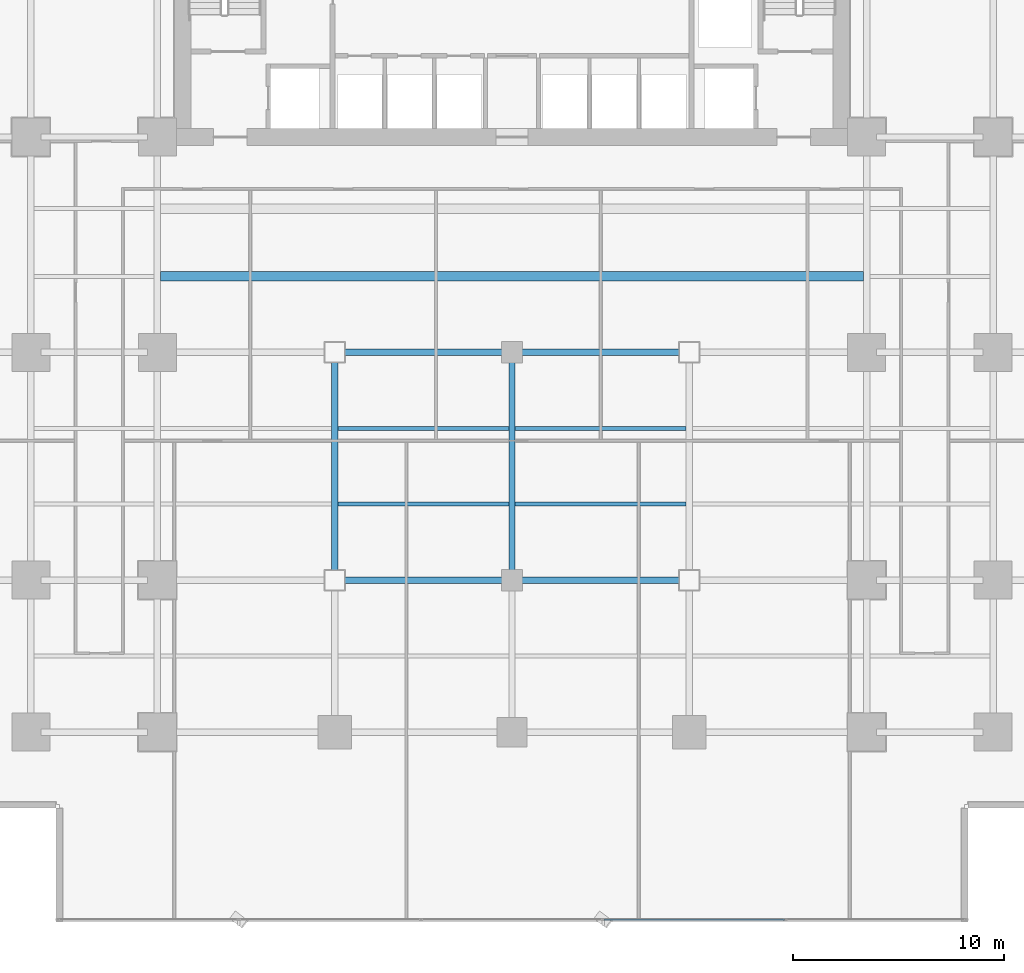
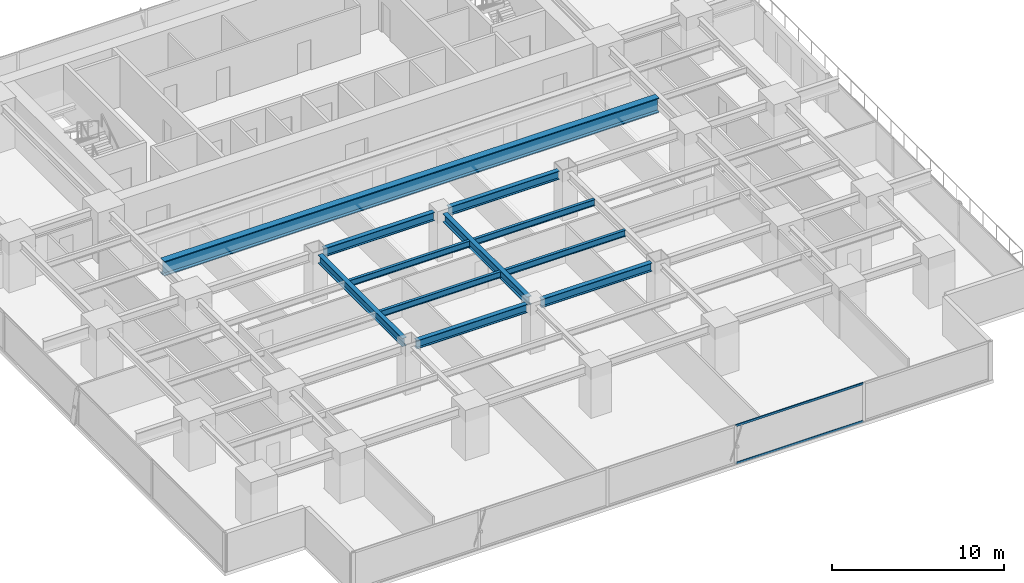
# One storey, part 10 of 33: 11 beams, 2 members, 1 element without a shape of its own.
"""IFC4 building model written with IfcOpenShell, lengths in metres."""

from ifc_helpers import new_model, si_unit, direction, frame, origin, origin_2d, place, context, subcontext, project, spatial, hollow_rectangle, i_section, extrude, source, transform, mapped, material, layer, layer_set, material_profile, profile_set, type_object, element, aggregate, save


model = new_model("IFC4")

# Units and contexts
model_context = context("Model", 3, precision=1e-05, world=origin(), true_north=direction((0.0, 1.0)))
body_context = subcontext(model_context, "Body", "Model", "MODEL_VIEW")
ifc_project = project(units=[si_unit("LENGTHUNIT", "METRE"), si_unit("AREAUNIT", "SQUARE_METRE"), si_unit("VOLUMEUNIT", "CUBIC_METRE"), si_unit("PLANEANGLEUNIT", "RADIAN"), si_unit("MASSUNIT", "GRAM", prefix="KILO")], contexts=[model_context])

# Site, building, storey
site_placement = place(None, origin())
site = spatial("IfcSite", under=ifc_project, at=site_placement, CompositionType="ELEMENT")
building_placement = place(site_placement, origin())
building = spatial("IfcBuilding", under=site, at=building_placement, Name="Sumidabori Civic Tower", CompositionType="ELEMENT")
storey_placement = place(building_placement, frame((0.0, 0.0, 23.60009765625)))
storey = spatial("IfcBuildingStorey", under=building, at=storey_placement, Name="L05", CompositionType="ELEMENT", Elevation=23.60009765625)

# Beams
ifc_material_1 = material(Name="Steel SN490", Category="steel")
ifc_material_profile_1 = material_profile(ifc_material_1, i_section(OverallWidth=0.300048828125, OverallDepth=0.60009765625, WebThickness=0.015380859375, FlangeThickness=0.030029296875, at=origin_2d()), Name="HE 600 B")
ifc_profile_set_1 = profile_set([ifc_material_profile_1], Name="Steel SN490")
beam_type_1 = type_object("IfcBeamType", Name="BM-GIRD-600", PredefinedType="BEAM", material=ifc_profile_set_1)
shared_shape_1 = source(origin(), body_context, "Body", "SweptSolid", [
    extrude(i_section(OverallWidth=0.300048828125, OverallDepth=0.60009765625, WebThickness=0.015380859375, FlangeThickness=0.030029296875, at=origin_2d()), origin(), (0.0, 0.0, 1.0), 7.43994140625),
])
for number, where, z_axis, x_axis, name in (
    (1, (-7.919921875, -10.800048828125, 3.059814453125), (1.0, 0.0, 0.0), (0.0, 1.0, 0.0), "Primary Girder L05 GX-09"),
    (2, (0.47998046875, -10.800048828125, 3.059814453125), (1.0, 0.0, 0.0), (0.0, 1.0, 0.0), "Primary Girder L05 GX-10"),
    (3, (-7.919921875, 0.0, 3.059814453125), (1.0, 0.0, 0.0), (0.0, 1.0, 0.0), "Primary Girder L05 GX-15"),
    (4, (0.47998046875, 0.0, 3.059814453125), (1.0, 0.0, 0.0), (0.0, 1.0, 0.0), "Primary Girder L05 GX-16"),
):
    element("IfcBeam", number, at=place(storey_placement, frame(where, z_axis=z_axis, x_axis=x_axis)), inside=storey, type_object=beam_type_1, Name=name, PredefinedType="BEAM", context=body_context, shape_type="MappedRepresentation", body=[
        mapped(shared_shape_1, transform((0.0, 0.0, 0.0), x_axis=(1.0, 0.0, 0.0), y_axis=(0.0, 1.0, 0.0), z_axis=(0.0, 0.0, 1.0), scale=1.0)),
    ])
shared_shape_2 = source(origin(), body_context, "Body", "SweptSolid", [
    extrude(i_section(OverallWidth=0.300048828125, OverallDepth=0.60009765625, WebThickness=0.015380859375, FlangeThickness=0.030029296875, at=origin_2d()), origin(), (0.0, 0.0, 1.0), 9.840087890625),
])
for number, where, z_axis, x_axis, name in (
    (5, (-8.39990234375, -10.320068359375, 3.059814453125), (0.0, 1.0, 0.0), (-1.0, 0.0, 0.0), "Primary Girder L05 GY-30"),
    (6, (0.0, -10.320068359375, 3.059814453125), (0.0, 1.0, 0.0), (-1.0, 0.0, 0.0), "Primary Girder L05 GY-32"),
):
    element("IfcBeam", number, at=place(storey_placement, frame(where, z_axis=z_axis, x_axis=x_axis)), inside=storey, type_object=beam_type_1, Name=name, PredefinedType="BEAM", context=body_context, shape_type="MappedRepresentation", body=[
        mapped(shared_shape_2, transform((0.0, 0.0, 0.0), x_axis=(1.0, 0.0, 0.0), y_axis=(0.0, 1.0, 0.0), z_axis=(0.0, 0.0, 1.0), scale=1.0)),
    ])
ifc_material_2 = material(Name="Steel SM570", Category="steel")
ifc_material_profile_2 = material_profile(ifc_material_2, i_section(OverallWidth=0.446044921875, OverallDepth=1.0439453125, WebThickness=0.035888671875, FlangeThickness=0.06396484375, at=origin_2d()), Name="W36X652")
ifc_profile_set_2 = profile_set([ifc_material_profile_2], Name="Steel SM570")
beam_type_2 = type_object("IfcBeamType", Name="BM-HEAVY-W36A", PredefinedType="BEAM", material=ifc_profile_set_2)
shared_shape_3 = source(origin(), body_context, "Body", "SweptSolid", [
    extrude(i_section(OverallWidth=0.446044921875, OverallDepth=1.0439453125, WebThickness=0.035888671875, FlangeThickness=0.06396484375, at=origin_2d()), origin(), (0.0, 0.0, 1.0), 33.2998046875),
])
beam_placement = place(storey_placement, frame((-16.64990234375, 3.60009765625, 2.837890625), z_axis=(1.0, 0.0, 0.0), x_axis=(0.0, 1.0, 0.0)))
element("IfcBeam", 7, at=beam_placement, inside=storey, type_object=beam_type_2, Name="North Bay Floor Beam L05 JSTN-59", PredefinedType="BEAM", context=body_context, shape_type="MappedRepresentation", body=[
    mapped(shared_shape_3, transform((0.0, 0.0, 0.0), x_axis=(1.0, 0.0, 0.0), y_axis=(0.0, 1.0, 0.0), z_axis=(0.0, 0.0, 1.0), scale=1.0)),
])
ifc_material_profile_3 = material_profile(ifc_material_1, i_section(OverallWidth=0.18994140625, OverallDepth=0.449951171875, WebThickness=0.009521484375, FlangeThickness=0.0146484375, at=origin_2d()), Name="IPE 450")
ifc_profile_set_3 = profile_set([ifc_material_profile_3], Name="Steel SN490")
beam_type_3 = type_object("IfcBeamType", Name="BM-JST-450", PredefinedType="JOIST", material=ifc_profile_set_3)
shared_shape_4 = source(origin(), body_context, "Body", "SweptSolid", [
    extrude(i_section(OverallWidth=0.18994140625, OverallDepth=0.449951171875, WebThickness=0.009521484375, FlangeThickness=0.0146484375, at=origin_2d()), origin(), (0.0, 0.0, 1.0), 8.10009765625),
])
for number, where, z_axis, x_axis, name in (
    (8, (-8.25, -7.199951171875, 3.135009765625), (1.0, 0.0, 0.0), (0.0, 1.0, 0.0), "South Bay Floor Joist L05 JSTS-66"),
    (9, (0.14990234375, -7.199951171875, 3.135009765625), (1.0, 0.0, 0.0), (0.0, 1.0, 0.0), "South Bay Floor Joist L05 JSTS-67"),
    (10, (-8.25, -3.60009765625, 3.135009765625), (1.0, 0.0, 0.0), (0.0, 1.0, 0.0), "South Bay Floor Joist L05 JSTS-70"),
    (11, (0.14990234375, -3.60009765625, 3.135009765625), (1.0, 0.0, 0.0), (0.0, 1.0, 0.0), "South Bay Floor Joist L05 JSTS-71"),
):
    element("IfcBeam", number, at=place(storey_placement, frame(where, z_axis=z_axis, x_axis=x_axis)), inside=storey, type_object=beam_type_3, Name=name, PredefinedType="JOIST", context=body_context, shape_type="MappedRepresentation", body=[
        mapped(shared_shape_4, transform((0.0, 0.0, 0.0), x_axis=(1.0, 0.0, 0.0), y_axis=(0.0, 1.0, 0.0), z_axis=(0.0, 0.0, 1.0), scale=1.0)),
    ])

# Curtain wall, members
ifc_material_3 = material(Name="Anodised Bronze Aluminium AW-6063-T6", Category="aluminium")
ifc_layer = layer(ifc_material_3, 0.179931640625, Name="Anodised Bronze Aluminium AW-6063-T6")
ifc_layer_set = layer_set([ifc_layer], Name="Anodised Bronze Aluminium AW-6063-T6")
curtain_wall_type = type_object("IfcCurtainWallType", Name="CW-SYS-2", PredefinedType="NOTDEFINED", material=ifc_layer_set)
curtain_wall_placement = place(storey_placement, origin())
curtain_wall = element("IfcCurtainWall", 12, at=curtain_wall_placement, inside=storey, type_object=curtain_wall_type, Name="Curtain Wall CW:L05:R01", PredefinedType="NOTDEFINED")
ifc_material_profile_4 = material_profile(ifc_material_3, hollow_rectangle(XDim=0.06494140625, YDim=0.14990234375, WallThickness=0.0048828125, at=origin_2d()), Name="ALU TRANSOM 150x65")
ifc_profile_set_4 = profile_set([ifc_material_profile_4], Name="Anodised Bronze Aluminium AW-6063-T6")
member_type = type_object("IfcMemberType", Name="CW-TRN-150", PredefinedType="USERDEFINED", material=ifc_profile_set_4)
shared_shape_5 = source(origin(), body_context, "Body", "SweptSolid", [
    extrude(hollow_rectangle(XDim=0.06494140625, YDim=0.14990234375, WallThickness=0.0048828125, at=origin_2d()), origin(), (0.0, 0.0, 1.0), 8.557861328125),
])
member_1_placement = place(storey_placement, frame((4.34912109375, -26.8798828125, 0.032470703125), z_axis=(1.0, 0.0, 0.0), x_axis=(0.0, 1.0, 0.0)))
member_1 = element("IfcMember", 13, at=member_1_placement, type_object=member_type, Name="CW-2 transom 4.1", ObjectType="TRANSOM", PredefinedType="USERDEFINED", context=body_context, shape_type="MappedRepresentation", body=[
    mapped(shared_shape_5, transform((0.0, 0.0, 0.0), x_axis=(1.0, 0.0, 0.0), y_axis=(0.0, 1.0, 0.0), z_axis=(0.0, 0.0, 1.0), scale=1.0)),
])
member_2_placement = place(storey_placement, frame((4.34912109375, -26.8798828125, 2.70751953125), z_axis=(1.0, 0.0, 0.0), x_axis=(0.0, 1.0, 0.0)))
member_2 = element("IfcMember", 14, at=member_2_placement, type_object=member_type, Name="CW-2 transom 4.2", ObjectType="TRANSOM", PredefinedType="USERDEFINED", context=body_context, shape_type="MappedRepresentation", body=[
    mapped(shared_shape_5, transform((0.0, 0.0, 0.0), x_axis=(1.0, 0.0, 0.0), y_axis=(0.0, 1.0, 0.0), z_axis=(0.0, 0.0, 1.0), scale=1.0)),
])
aggregate(curtain_wall, [member_1, member_2])

save(model, "model.ifc")
